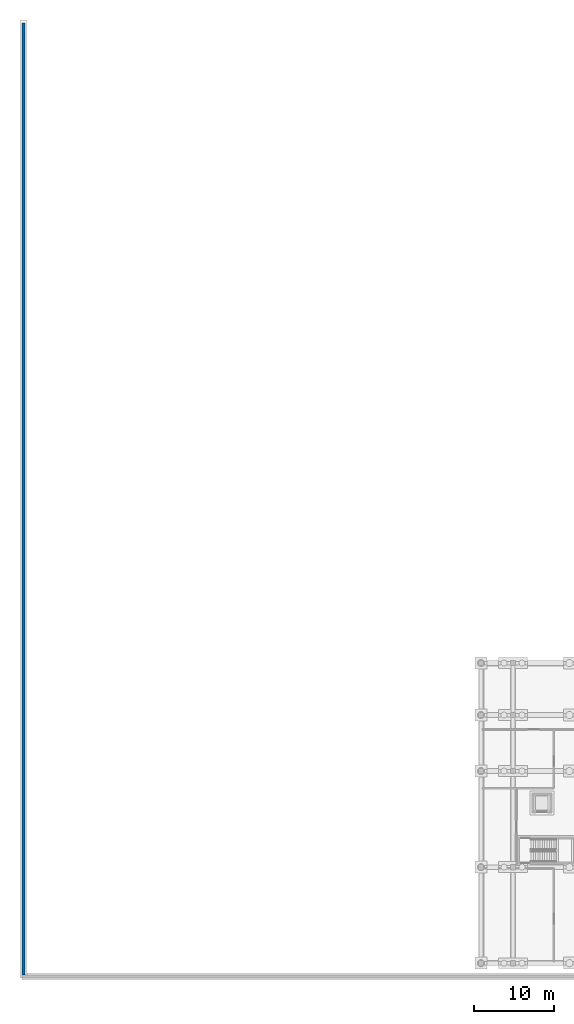
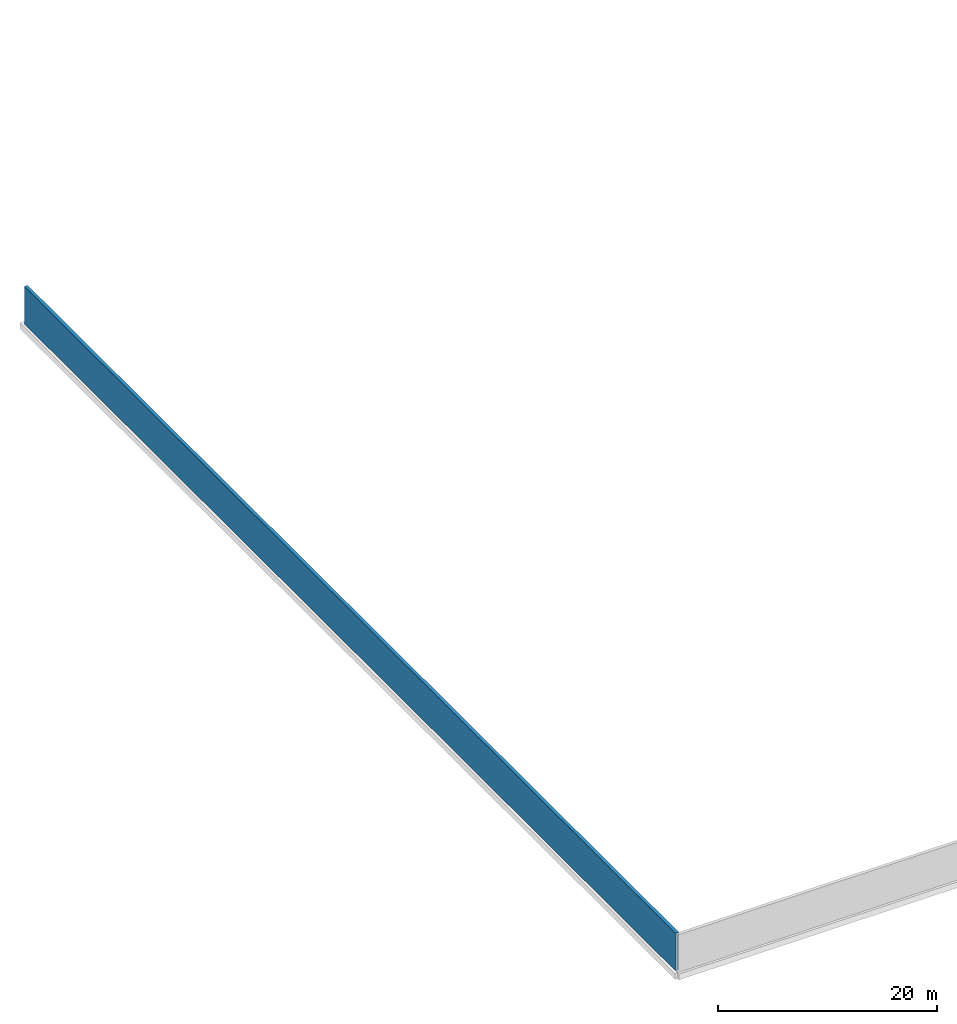
# One storey, part 3 of 10: 1 wall.
"""IFC4 building model written with IfcOpenShell, lengths in metres."""

from ifc_helpers import new_model, si_unit, direction, frame, frame_2d, origin, place, context, subcontext, project, spatial, rectangle, extrude, material, layer, layer_set, type_object, element, save


model = new_model("IFC4")

# Units and contexts
model_context = context("Model", 3, precision=1e-05, world=origin(), true_north=direction((0.0, 1.0)))
body_context = subcontext(model_context, "Body", "Model", "MODEL_VIEW")
ifc_project = project(units=[si_unit("LENGTHUNIT", "METRE"), si_unit("AREAUNIT", "SQUARE_METRE"), si_unit("VOLUMEUNIT", "CUBIC_METRE"), si_unit("PLANEANGLEUNIT", "RADIAN"), si_unit("MASSUNIT", "GRAM", prefix="KILO")], contexts=[model_context])

# Site, building, storey
site_placement = place(None, origin())
site = spatial("IfcSite", under=ifc_project, at=site_placement, CompositionType="ELEMENT")
building_placement = place(site_placement, origin())
building = spatial("IfcBuilding", under=site, at=building_placement, Name="Kestramere Prow Commons", CompositionType="ELEMENT")
storey_placement = place(building_placement, frame((0.0, 0.0, -4.199951171875)))
storey = spatial("IfcBuildingStorey", under=building, at=storey_placement, Name="B1", CompositionType="ELEMENT", Elevation=-4.199951171875)

# Wall
ifc_material = material(Name="Pigmented Charcoal Concrete C35/45", Category="concrete")
ifc_layer = layer(ifc_material, 0.35009765625)
ifc_layer_set = layer_set([ifc_layer], Name="Pigmented Charcoal Concrete C35/45")
wall_type = type_object("IfcWallType", Name="W-RET-350", PredefinedType="USERDEFINED", material=ifc_layer_set)
wall_placement = place(storey_placement, frame((-1.175048828125, -1.5, -0.35009765625), z_axis=(0.0, 0.0, 1.0), x_axis=(0.0, 1.0, 0.0)))
element("IfcWall", 1, at=wall_placement, inside=storey, type_object=wall_type, Name="Subterranean Granite Retaining Plinth Wall W", ObjectType="RETAINING WALL", PredefinedType="USERDEFINED", context=body_context, shape_type="SweptSolid", body=[
    extrude(rectangle(XDim=119.0, YDim=0.35009765625, at=frame_2d((59.5, 0.0))), origin(), (0.0, 0.0, 1.0), 4.199951171875),
])

save(model, "model.ifc")
